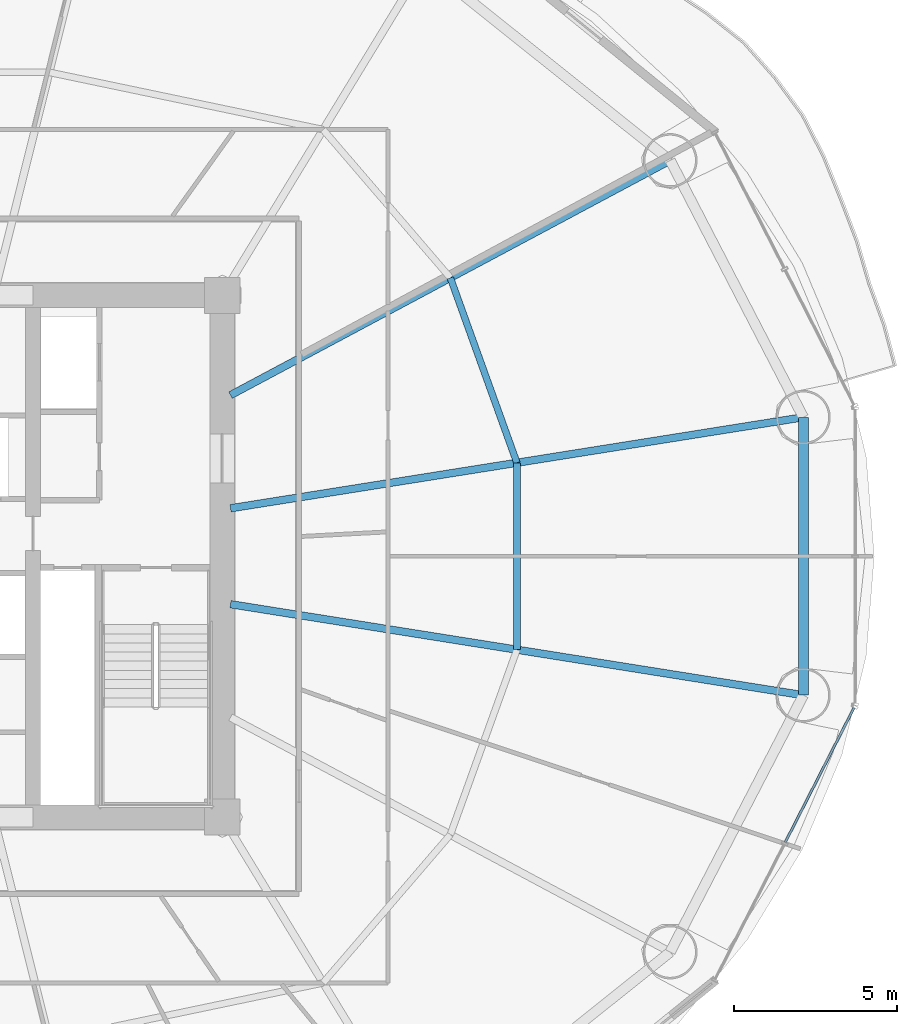
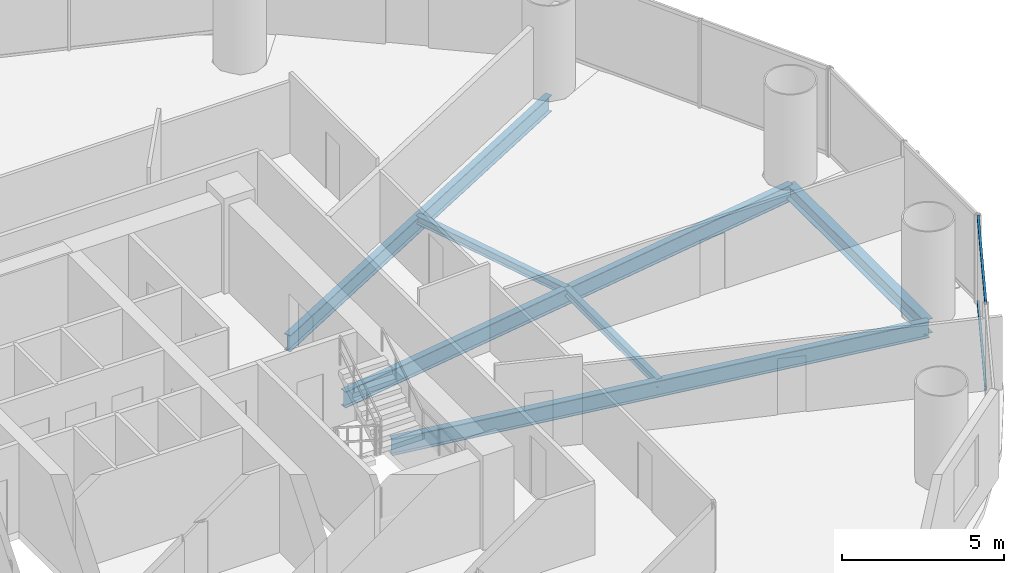
# One storey, part 14 of 30: 6 beams, 2 members, 1 element without a shape of its own.
"""IFC4 building model written with IfcOpenShell, lengths in metres."""

from ifc_helpers import new_model, si_unit, direction, frame, origin, origin_2d, place, context, subcontext, project, spatial, hollow_rectangle, i_section, extrude, source, transform, mapped, material, material_profile, profile_set, type_object, element, aggregate, save


model = new_model("IFC4")

# Units and contexts
model_context = context("Model", 3, precision=1e-05, world=origin(), true_north=direction((-0.2419218956, 0.970295726276)))
body_context = subcontext(model_context, "Body", "Model", "MODEL_VIEW")
ifc_project = project(units=[si_unit("LENGTHUNIT", "METRE"), si_unit("AREAUNIT", "SQUARE_METRE"), si_unit("VOLUMEUNIT", "CUBIC_METRE"), si_unit("PLANEANGLEUNIT", "RADIAN"), si_unit("MASSUNIT", "GRAM", prefix="KILO")], contexts=[model_context])

# Site, building, storey
site_placement = place(None, origin())
site = spatial("IfcSite", under=ifc_project, at=site_placement, CompositionType="ELEMENT")
building_placement = place(site_placement, origin())
building = spatial("IfcBuilding", under=site, at=building_placement, Name="Cobrevalo Terracotta Tower", CompositionType="ELEMENT")
storey_placement = place(building_placement, frame((0.0, 0.0, 56.39990234375)))
storey = spatial("IfcBuildingStorey", under=building, at=storey_placement, Name="L14", CompositionType="ELEMENT", Elevation=56.39990234375)

# Beams
ifc_material_1 = material(Name="Steel S355", Category="steel")
ifc_material_profile_1 = material_profile(ifc_material_1, i_section(OverallWidth=0.22998046875, OverallDepth=0.616943359375, WebThickness=0.01318359375, FlangeThickness=0.022216796875, at=origin_2d()), Name="W 610x140")
ifc_profile_set_1 = profile_set([ifc_material_profile_1], Name="Steel S355")
beam_type_1 = type_object("IfcBeamType", Name="Structural Beam W 610x140 (Steel S355)", PredefinedType="BEAM", material=ifc_profile_set_1)
beam_1_placement = place(storey_placement, frame((64.824462890625, 31.062744140625, -0.58837890625), z_axis=(-0.987607924622, -0.156941349628, 0.0), x_axis=(0.156941349628, -0.987607924622, 0.0)))
element("IfcBeam", 1, at=beam_1_placement, inside=storey, type_object=beam_type_1, Name="L14 radial floor girder 01", PredefinedType="BEAM", context=body_context, shape_type="SweptSolid", body=[
    extrude(i_section(OverallWidth=0.22998046875, OverallDepth=0.616943359375, WebThickness=0.01318359375, FlangeThickness=0.022216796875, at=origin_2d()), origin(), (0.0, 0.0, 1.0), 17.7900390625),
])
beam_2_placement = place(storey_placement, frame((60.74072265625, 38.939208984375, -0.58837890625), z_axis=(-0.88218223571, -0.470908168329, 0.0), x_axis=(0.470908168329, -0.88218223571, 0.0)))
element("IfcBeam", 2, at=beam_2_placement, inside=storey, type_object=beam_type_1, Name="L14 radial floor girder 02", PredefinedType="BEAM", context=body_context, shape_type="SweptSolid", body=[
    extrude(i_section(OverallWidth=0.22998046875, OverallDepth=0.616943359375, WebThickness=0.01318359375, FlangeThickness=0.022216796875, at=origin_2d()), origin(), (0.0, 0.0, 1.0), 15.286865234375),
])
beam_3_placement = place(storey_placement, frame((64.824462890625, 22.537353515625, -0.58837890625), z_axis=(-0.987607924622, 0.156941349628, 0.0), x_axis=(-0.156941349628, -0.987607924622, 0.0)))
element("IfcBeam", 3, at=beam_3_placement, inside=storey, type_object=beam_type_1, Name="L14 radial floor girder 16", PredefinedType="BEAM", context=body_context, shape_type="SweptSolid", body=[
    extrude(i_section(OverallWidth=0.22998046875, OverallDepth=0.616943359375, WebThickness=0.01318359375, FlangeThickness=0.022216796875, at=origin_2d()), origin(), (0.0, 0.0, 1.0), 17.7900390625),
])
ifc_material_profile_2 = material_profile(ifc_material_1, i_section(OverallWidth=0.2041015625, OverallDepth=0.305908203125, WebThickness=0.008544921875, FlangeThickness=0.0146484375, at=origin_2d()), Name="W 310x67")
ifc_profile_set_2 = profile_set([ifc_material_profile_2], Name="Steel S355")
beam_type_2 = type_object("IfcBeamType", Name="Structural Joist W 310x67 (Steel S355)", PredefinedType="JOIST", material=ifc_profile_set_2)
beam_4_placement = place(storey_placement, frame((56.039794921875, 29.666748046875, -0.432861328125), z_axis=(-0.338672151116, 0.940904444701, 0.0), x_axis=(-0.940904444701, -0.338672151116, 0.0)))
element("IfcBeam", 4, at=beam_4_placement, inside=storey, type_object=beam_type_2, Name="L14 circumferential secondary floor joist 01", PredefinedType="JOIST", context=body_context, shape_type="SweptSolid", body=[
    extrude(i_section(OverallWidth=0.2041015625, OverallDepth=0.305908203125, WebThickness=0.008544921875, FlangeThickness=0.0146484375, at=origin_2d()), origin(), (0.0, 0.0, 1.0), 6.029296875),
])
beam_5_placement = place(storey_placement, frame((56.039794921875, 23.933349609375, -0.432861328125), z_axis=(0.0, 1.0, 0.0), x_axis=(-1.0, 0.0, 0.0)))
element("IfcBeam", 5, at=beam_5_placement, inside=storey, type_object=beam_type_2, Name="L14 circumferential secondary floor joist 16", PredefinedType="JOIST", context=body_context, shape_type="SweptSolid", body=[
    extrude(i_section(OverallWidth=0.2041015625, OverallDepth=0.305908203125, WebThickness=0.008544921875, FlangeThickness=0.0146484375, at=origin_2d()), origin(), (0.0, 0.0, 1.0), 5.7333984375),
])
ifc_material_profile_3 = material_profile(ifc_material_1, i_section(OverallWidth=0.31201171875, OverallDepth=0.54296875, WebThickness=0.0126953125, FlangeThickness=0.020263671875, at=origin_2d()), Name="W 530x150")
ifc_profile_set_3 = profile_set([ifc_material_profile_3], Name="Steel S355")
beam_type_3 = type_object("IfcBeamType", Name="Structural Spandrel W 530x150 (Steel S355)", PredefinedType="SPANDREL", material=ifc_profile_set_3)
beam_6_placement = place(storey_placement, frame((64.824462890625, 22.537353515625, -0.551513671875), z_axis=(0.0, 1.0, 0.0), x_axis=(-1.0, 0.0, 0.0)))
element("IfcBeam", 6, at=beam_6_placement, inside=storey, type_object=beam_type_3, Name="L14 perimeter ring spandrel 16", PredefinedType="SPANDREL", context=body_context, shape_type="SweptSolid", body=[
    extrude(i_section(OverallWidth=0.31201171875, OverallDepth=0.54296875, WebThickness=0.0126953125, FlangeThickness=0.020263671875, at=origin_2d()), origin(), (0.0, 0.0, 1.0), 8.525390625),
])

# Curtain wall, members
ifc_material_2 = material(Name="Anodized aluminium", Category="aluminium")
curtain_wall_type = type_object("IfcCurtainWallType", Name="Lower-tower unitised acoustic low-E curtain wall CW-U1", PredefinedType="NOTDEFINED", material=ifc_material_2)
curtain_wall_placement = place(storey_placement, origin())
curtain_wall = element("IfcCurtainWall", 7, at=curtain_wall_placement, inside=storey, type_object=curtain_wall_type, Name="L14 curtain wall CW-L14-S15", PredefinedType="NOTDEFINED")
ifc_material_profile_4 = material_profile(ifc_material_2, hollow_rectangle(XDim=0.074951171875, YDim=0.14990234375, WallThickness=0.00439453125, at=origin_2d()), Name="CWT 75x150")
ifc_profile_set_4 = profile_set([ifc_material_profile_4], Name="Anodized aluminium")
member_type = type_object("IfcMemberType", Name="Tower unitised aluminium transom 75x150", PredefinedType="USERDEFINED", material=ifc_profile_set_4)
shared_shape = source(origin(), body_context, "Body", "SweptSolid", [
    extrude(hollow_rectangle(XDim=0.074951171875, YDim=0.14990234375, WallThickness=0.00439453125, at=origin_2d()), origin(), (0.0, 0.0, 1.0), 4.630859375),
])
member_1_placement = place(storey_placement, frame((64.268798828125, 18.026611328125, 0.050048828125), z_axis=(0.455229952508, 0.890373904795, 0.0), x_axis=(-0.890373904795, 0.455229952508, 0.0)))
member_1 = element("IfcMember", 8, at=member_1_placement, type_object=member_type, Name="CW-L14-S15 transom B02-T1", ObjectType="TRANSOM", PredefinedType="USERDEFINED", context=body_context, shape_type="MappedRepresentation", body=[
    mapped(shared_shape, transform((0.0, 0.0, 0.0), scale=1.0)),
])
member_2_placement = place(storey_placement, frame((64.268798828125, 18.026611328125, 3.27001953125), z_axis=(0.455229952508, 0.890373904795, 0.0), x_axis=(-0.890373904795, 0.455229952508, 0.0)))
member_2 = element("IfcMember", 9, at=member_2_placement, type_object=member_type, Name="CW-L14-S15 transom B02-T2", ObjectType="TRANSOM", PredefinedType="USERDEFINED", context=body_context, shape_type="MappedRepresentation", body=[
    mapped(shared_shape, transform((0.0, 0.0, 0.0), scale=1.0)),
])
aggregate(curtain_wall, [member_1, member_2])

save(model, "model.ifc")
